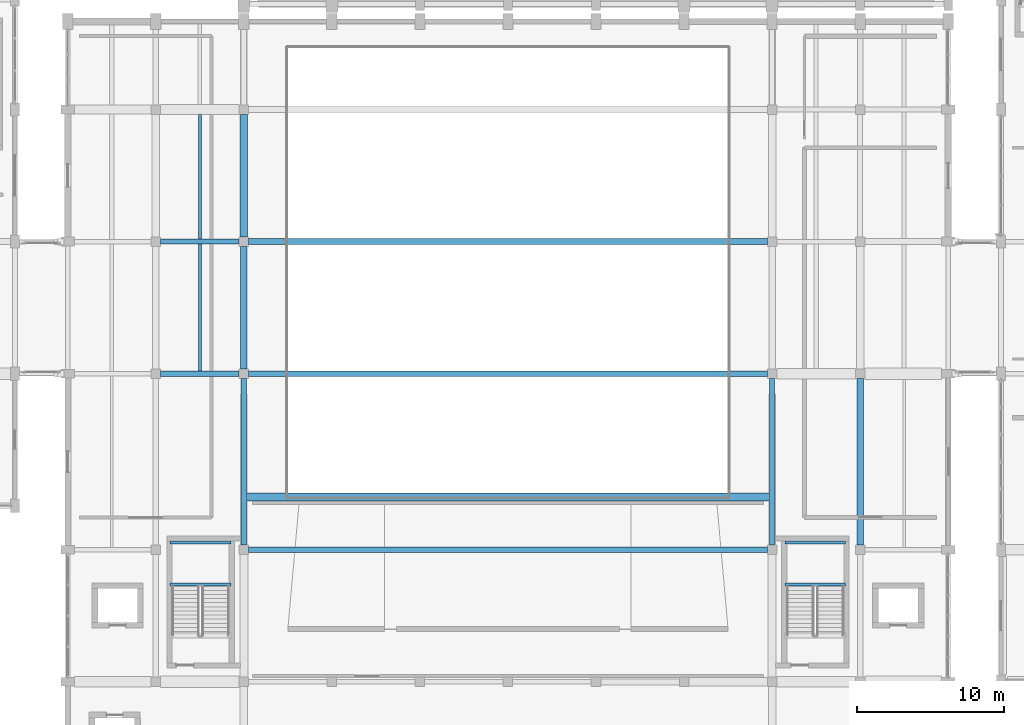
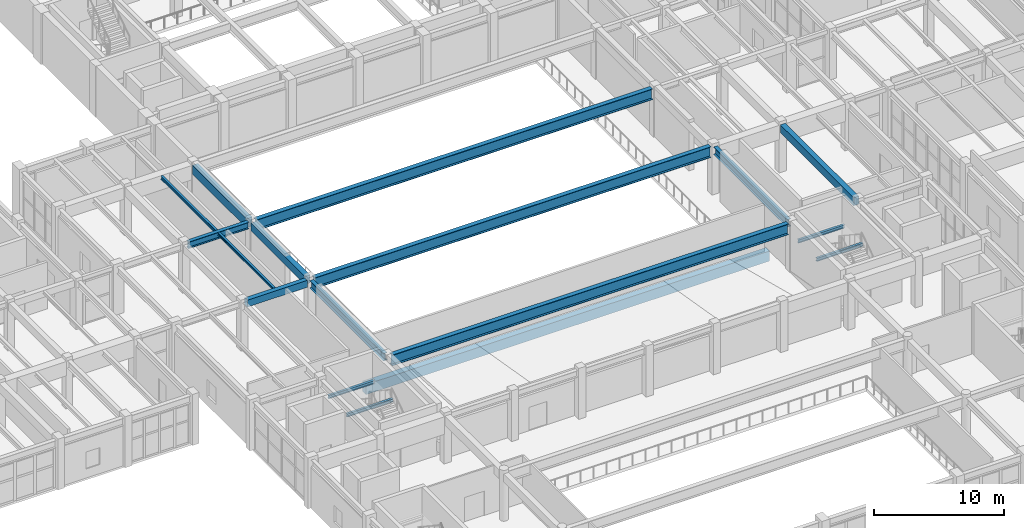
# One storey, part 27 of 85: 17 beams.
"""IFC4 building model written with IfcOpenShell, lengths in metres."""

from ifc_helpers import new_model, si_unit, direction, frame, origin, origin_2d, place, context, subcontext, project, spatial, rectangle, i_section, extrude, material, material_profile, profile_set, type_object, element, save


model = new_model("IFC4")

# Units and contexts
model_context = context("Model", 3, precision=1e-05, world=origin(), true_north=direction((0.0, 1.0)))
body_context = subcontext(model_context, "Body", "Model", "MODEL_VIEW")
ifc_project = project(units=[si_unit("LENGTHUNIT", "METRE"), si_unit("AREAUNIT", "SQUARE_METRE"), si_unit("VOLUMEUNIT", "CUBIC_METRE"), si_unit("PLANEANGLEUNIT", "RADIAN"), si_unit("MASSUNIT", "GRAM", prefix="KILO")], contexts=[model_context])

# Site, building, storey
site_placement = place(None, origin())
site = spatial("IfcSite", under=ifc_project, at=site_placement, CompositionType="ELEMENT")
building_placement = place(site_placement, origin())
building = spatial("IfcBuilding", under=site, at=building_placement, Name="Vaelkrest Opera House", CompositionType="ELEMENT")
storey_placement = place(building_placement, frame((0.0, 0.0, 10.199951171875)))
storey = spatial("IfcBuildingStorey", under=building, at=storey_placement, Name="L02", CompositionType="ELEMENT", Elevation=10.199951171875)

# Beams
ifc_material_1 = material(Name="Concrete C50/60", Category="concrete")
ifc_material_profile_1 = material_profile(ifc_material_1, rectangle(XDim=0.39990234375, YDim=0.64990234375, at=origin_2d()), Name="RCB400X650")
ifc_profile_set_1 = profile_set([ifc_material_profile_1], Name="Concrete C50/60")
beam_type_1 = type_object("IfcBeamType", Name="B01", PredefinedType="BEAM", material=ifc_profile_set_1)
beam_1_placement = place(storey_placement, frame((-23.675048828125, -7.800048828125, 4.179931640625), z_axis=(1.0, 0.0, 0.0), x_axis=(0.0, 1.0, 0.0)))
element("IfcBeam", 1, at=beam_1_placement, inside=storey, type_object=beam_type_1, Name="Beam BM-V1-L02-0341", PredefinedType="BEAM", context=body_context, shape_type="SweptSolid", body=[
    extrude(rectangle(XDim=0.39990234375, YDim=0.64990234375, at=origin_2d()), origin(), (0.0, 0.0, 1.0), 5.35009765625),
])
ifc_material_profile_2 = material_profile(ifc_material_1, rectangle(XDim=0.449951171875, YDim=0.75, at=origin_2d()), Name="RCB450X750")
ifc_profile_set_2 = profile_set([ifc_material_profile_2], Name="Concrete C50/60")
beam_type_2 = type_object("IfcBeamType", Name="B02", PredefinedType="BEAM", material=ifc_profile_set_2)
beam_2_placement = place(storey_placement, frame((-18.0, -7.47509765625, 4.130126953125), z_axis=(0.0, 1.0, 0.0), x_axis=(-1.0, 0.0, 0.0)))
element("IfcBeam", 2, at=beam_2_placement, inside=storey, type_object=beam_type_2, Name="Beam BM-V1-L02-0383", PredefinedType="BEAM", context=body_context, shape_type="SweptSolid", body=[
    extrude(rectangle(XDim=0.449951171875, YDim=0.75, at=origin_2d()), origin(), (0.0, 0.0, 1.0), 8.35009765625),
])
beam_3_placement = place(storey_placement, frame((24.0, -19.47509765625, 4.130126953125), z_axis=(0.0, 1.0, 0.0), x_axis=(-1.0, 0.0, 0.0)))
element("IfcBeam", 3, at=beam_3_placement, inside=storey, type_object=beam_type_2, Name="Beam BM-V1-L02-0395", PredefinedType="BEAM", context=body_context, shape_type="SweptSolid", body=[
    extrude(rectangle(XDim=0.449951171875, YDim=0.75, at=origin_2d()), origin(), (0.0, 0.0, 1.0), 11.35009765625),
])
ifc_material_profile_3 = material_profile(ifc_material_1, rectangle(XDim=0.5, YDim=0.85009765625, at=origin_2d()), Name="RCB500X850")
ifc_profile_set_3 = profile_set([ifc_material_profile_3], Name="Concrete C50/60")
beam_type_3 = type_object("IfcBeamType", Name="B03", PredefinedType="BEAM", material=ifc_profile_set_3)
beam_4_placement = place(storey_placement, frame((-18.0, 1.52490234375, 4.080078125), z_axis=(0.0, 1.0, 0.0), x_axis=(-1.0, 0.0, 0.0)))
element("IfcBeam", 4, at=beam_4_placement, inside=storey, type_object=beam_type_3, Name="Beam BM-V1-L02-0384", PredefinedType="BEAM", context=body_context, shape_type="SweptSolid", body=[
    extrude(rectangle(XDim=0.5, YDim=0.85009765625, at=origin_2d()), origin(), (0.0, 0.0, 1.0), 8.35009765625),
])
ifc_material_profile_4 = material_profile(ifc_material_1, rectangle(XDim=0.550048828125, YDim=0.949951171875, at=origin_2d()), Name="RCB550X950")
ifc_profile_set_4 = profile_set([ifc_material_profile_4], Name="Concrete C50/60")
beam_type_4 = type_object("IfcBeamType", Name="B04", PredefinedType="BEAM", material=ifc_profile_set_4)
beam_5_placement = place(storey_placement, frame((-18.0, -16.199951171875, -0.77490234375), z_axis=(1.0, 0.0, 0.0), x_axis=(0.0, 1.0, 0.0)))
element("IfcBeam", 5, at=beam_5_placement, inside=storey, type_object=beam_type_4, Name="Auditorium seating tier front girder L02", PredefinedType="BEAM", context=body_context, shape_type="SweptSolid", body=[
    extrude(rectangle(XDim=0.550048828125, YDim=0.949951171875, at=origin_2d()), origin(), (0.0, 0.0, 1.0), 36.0),
])
ifc_material_2 = material(Name="Steel A992 Gr50", Category="steel")
ifc_material_profile_5 = material_profile(ifc_material_2, i_section(OverallWidth=0.327880859375, OverallDepth=0.6279296875, WebThickness=0.0166015625, FlangeThickness=0.027587890625, at=origin_2d()), Name="W24X146")
ifc_profile_set_5 = profile_set([ifc_material_profile_5], Name="Steel A992 Gr50")
beam_type_5 = type_object("IfcBeamType", Name="B09", PredefinedType="BEAM", material=ifc_profile_set_5)
beam_6_placement = place(storey_placement, frame((-23.675048828125, 1.199951171875, 4.191162109375), z_axis=(1.0, 0.0, 0.0), x_axis=(0.0, 1.0, 0.0)))
element("IfcBeam", 6, at=beam_6_placement, inside=storey, type_object=beam_type_5, Name="Beam BM-V1-L02-0346", PredefinedType="BEAM", context=body_context, shape_type="SweptSolid", body=[
    extrude(i_section(OverallWidth=0.327880859375, OverallDepth=0.6279296875, WebThickness=0.0166015625, FlangeThickness=0.027587890625, at=origin_2d()), origin(), (0.0, 0.0, 1.0), 5.35009765625),
])
ifc_material_profile_6 = material_profile(ifc_material_2, i_section(OverallWidth=0.35791015625, OverallDepth=0.7060546875, WebThickness=0.018310546875, FlangeThickness=0.0302734375, at=origin_2d()), Name="W27X178")
ifc_profile_set_6 = profile_set([ifc_material_profile_6], Name="Steel A992 Gr50")
beam_type_6 = type_object("IfcBeamType", Name="B14", PredefinedType="BEAM", material=ifc_profile_set_6)
for number, where, z_axis, x_axis, name in (
    (7, (-18.0, -19.47509765625, 4.152099609375), (0.0, 1.0, 0.0), (-1.0, 0.0, 0.0), "Beam BM-V1-L02-0382"),
    (8, (18.0, -19.47509765625, 4.152099609375), (0.0, 1.0, 0.0), (-1.0, 0.0, 0.0), "Beam BM-V1-L02-0390"),
):
    element("IfcBeam", number, at=place(storey_placement, frame(where, z_axis=z_axis, x_axis=x_axis)), inside=storey, type_object=beam_type_6, Name=name, PredefinedType="BEAM", context=body_context, shape_type="SweptSolid", body=[
        extrude(i_section(OverallWidth=0.35791015625, OverallDepth=0.7060546875, WebThickness=0.018310546875, FlangeThickness=0.0302734375, at=origin_2d()), origin(), (0.0, 0.0, 1.0), 11.35009765625),
    ])
ifc_material_profile_7 = material_profile(ifc_material_2, i_section(OverallWidth=0.39990234375, OverallDepth=1.02197265625, WebThickness=0.01904296875, FlangeThickness=0.0361328125, at=origin_2d()), Name="W40X249")
ifc_profile_set_7 = profile_set([ifc_material_profile_7], Name="Steel A992 Gr50")
beam_type_7 = type_object("IfcBeamType", Name="B15", PredefinedType="BEAM", material=ifc_profile_set_7)
for number, where, z_axis, x_axis, name in (
    (9, (-17.675048828125, -19.800048828125, 3.994140625), (1.0, 0.0, 0.0), (0.0, 1.0, 0.0), "Beam BM-V1-L02-0338"),
    (10, (-17.675048828125, -7.800048828125, 3.994140625), (1.0, 0.0, 0.0), (0.0, 1.0, 0.0), "Beam BM-V1-L02-0342"),
    (11, (-17.675048828125, 1.199951171875, 3.994140625), (1.0, 0.0, 0.0), (0.0, 1.0, 0.0), "Beam BM-V1-L02-0347"),
):
    element("IfcBeam", number, at=place(storey_placement, frame(where, z_axis=z_axis, x_axis=x_axis)), inside=storey, type_object=beam_type_7, Name=name, PredefinedType="BEAM", context=body_context, shape_type="SweptSolid", body=[
        extrude(i_section(OverallWidth=0.39990234375, OverallDepth=1.02197265625, WebThickness=0.01904296875, FlangeThickness=0.0361328125, at=origin_2d()), origin(), (0.0, 0.0, 1.0), 35.35009765625),
    ])
ifc_material_profile_8 = material_profile(ifc_material_2, i_section(OverallWidth=0.2041015625, OverallDepth=0.257080078125, WebThickness=0.0087890625, FlangeThickness=0.015625, at=origin_2d()), Name="W10X45")
ifc_profile_set_8 = profile_set([ifc_material_profile_8], Name="Steel A992 Gr50")
beam_type_8 = type_object("IfcBeamType", Name="J01", PredefinedType="JOIST", material=ifc_profile_set_8)
beam_7_placement = place(storey_placement, frame((-21.0, -7.60009765625, 4.37646484375), z_axis=(0.0, 1.0, 0.0), x_axis=(-1.0, 0.0, 0.0)))
element("IfcBeam", 12, at=beam_7_placement, inside=storey, type_object=beam_type_8, Name="Floor joist JST-V1-L02-0411", PredefinedType="JOIST", context=body_context, shape_type="SweptSolid", body=[
    extrude(i_section(OverallWidth=0.2041015625, OverallDepth=0.257080078125, WebThickness=0.0087890625, FlangeThickness=0.015625, at=origin_2d()), origin(), (0.0, 0.0, 1.0), 8.635986328125),
])
ifc_material_profile_9 = material_profile(ifc_material_2, i_section(OverallWidth=0.202880859375, OverallDepth=0.302978515625, WebThickness=0.007568359375, FlangeThickness=0.01318359375, at=origin_2d()), Name="W12X40")
ifc_profile_set_9 = profile_set([ifc_material_profile_9], Name="Steel A992 Gr50")
beam_type_9 = type_object("IfcBeamType", Name="J02", PredefinedType="JOIST", material=ifc_profile_set_9)
beam_8_placement = place(storey_placement, frame((-21.0, 1.364013671875, 4.353515625), z_axis=(0.0, 1.0, 0.0), x_axis=(-1.0, 0.0, 0.0)))
element("IfcBeam", 13, at=beam_8_placement, inside=storey, type_object=beam_type_9, Name="Floor joist JST-V1-L02-0412", PredefinedType="JOIST", context=body_context, shape_type="SweptSolid", body=[
    extrude(i_section(OverallWidth=0.202880859375, OverallDepth=0.302978515625, WebThickness=0.007568359375, FlangeThickness=0.01318359375, at=origin_2d()), origin(), (0.0, 0.0, 1.0), 8.486083984375),
])
for number, where, z_axis, x_axis, name in (
    (14, (-23.02001953125, -22.169921875, 2.048583984375), (1.0, 0.0, 0.0), (0.0, 1.0, 0.0), "Stair landing bearer beam ST01 L02-1N"),
    (15, (-23.02001953125, -19.320068359375, 2.048583984375), (1.0, 0.0, 0.0), (0.0, 1.0, 0.0), "Stair landing bearer beam ST01 L02-1F"),
    (16, (18.8798828125, -22.169921875, 2.048583984375), (1.0, 0.0, 0.0), (0.0, 1.0, 0.0), "Stair landing bearer beam ST02 L02-1N"),
    (17, (18.8798828125, -19.320068359375, 2.048583984375), (1.0, 0.0, 0.0), (0.0, 1.0, 0.0), "Stair landing bearer beam ST02 L02-1F"),
):
    element("IfcBeam", number, at=place(storey_placement, frame(where, z_axis=z_axis, x_axis=x_axis)), inside=storey, type_object=beam_type_9, Name=name, PredefinedType="JOIST", context=body_context, shape_type="SweptSolid", body=[
        extrude(i_section(OverallWidth=0.202880859375, OverallDepth=0.302978515625, WebThickness=0.007568359375, FlangeThickness=0.01318359375, at=origin_2d()), origin(), (0.0, 0.0, 1.0), 4.14013671875),
    ])

save(model, "model.ifc")
